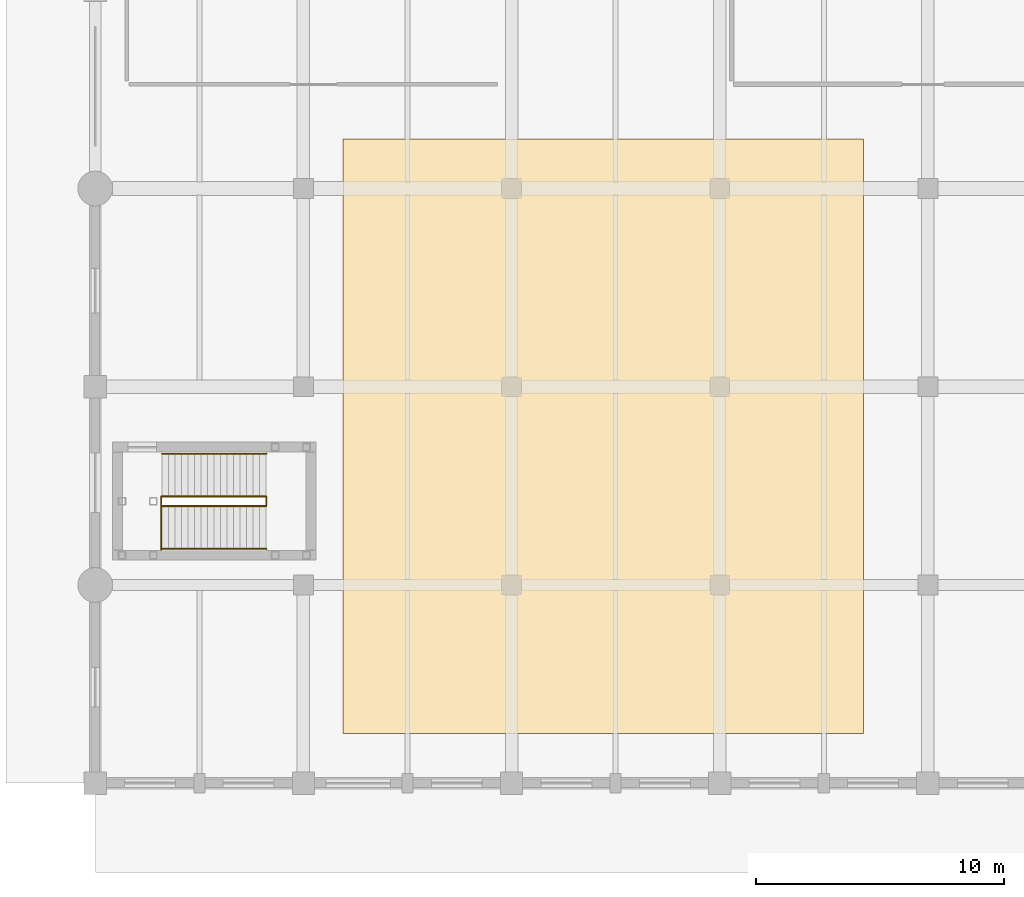
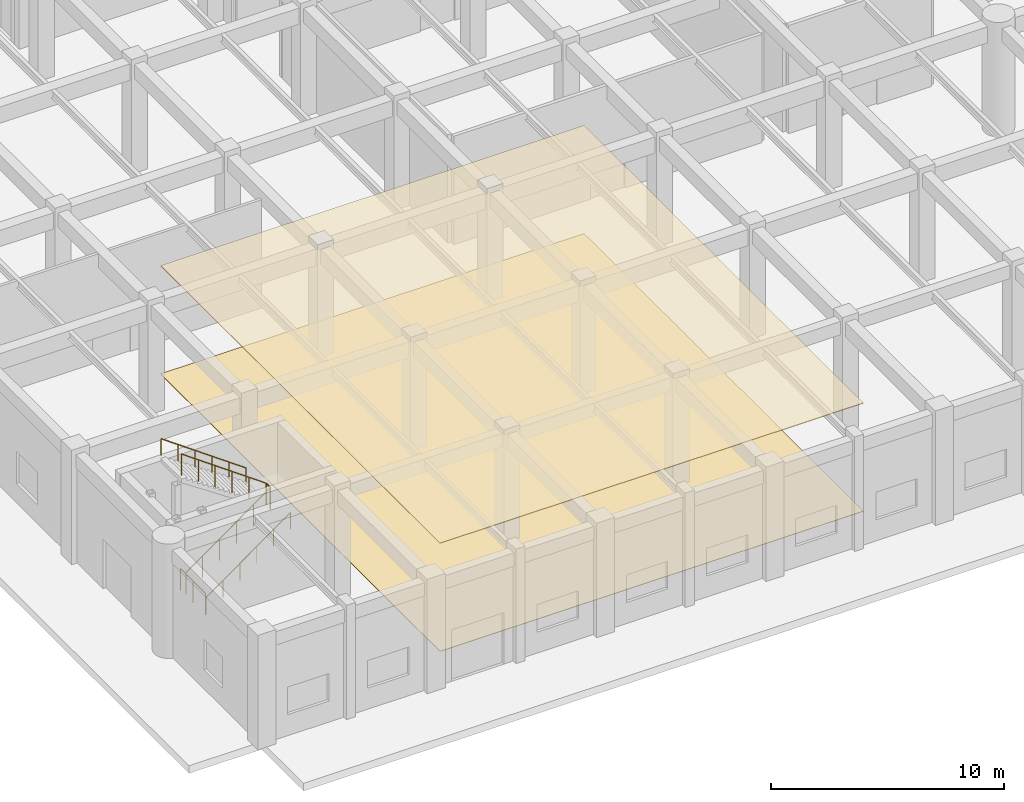
# One storey, part 67 of 76: 6 railings, 2 coverings.
"""IFC4 building model written with IfcOpenShell, lengths in metres."""

from ifc_helpers import new_model, si_unit, direction, frame, origin, origin_2d, place, context, subcontext, project, spatial, polyline, circle, outline, extrude, material, layer, layer_set, type_object, element, save


model = new_model("IFC4")

# Units and contexts
model_context = context("Model", 3, precision=1e-05, world=origin(), true_north=direction((0.0, 1.0)))
body_context = subcontext(model_context, "Body", "Model", "MODEL_VIEW")
ifc_project = project(units=[si_unit("LENGTHUNIT", "METRE"), si_unit("AREAUNIT", "SQUARE_METRE"), si_unit("VOLUMEUNIT", "CUBIC_METRE"), si_unit("PLANEANGLEUNIT", "RADIAN"), si_unit("MASSUNIT", "GRAM", prefix="KILO")], contexts=[model_context])

# Site, building, storey
site_placement = place(None, origin())
site = spatial("IfcSite", under=ifc_project, at=site_placement, CompositionType="ELEMENT")
building_placement = place(site_placement, origin())
building = spatial("IfcBuilding", under=site, at=building_placement, Name="Naruveol Harbour Congress Hotel", CompositionType="ELEMENT")
storey_placement = place(building_placement, origin())
storey = spatial("IfcBuildingStorey", under=building, at=storey_placement, Name="L00", CompositionType="ELEMENT", Elevation=0.0)

# Covering
ifc_material_1 = material(Name="Polished Terrazzo & Engineered Oak", Category="stone")
ifc_layer_1 = layer(ifc_material_1, 0.02490234375)
ifc_layer_set_1 = layer_set([ifc_layer_1], Name="Polished Terrazzo & Engineered Oak")
covering_type_1 = type_object("IfcCoveringType", Name="POLISHED TERRAZZO AND OAK FLOORING 25", PredefinedType="FLOORING", material=ifc_layer_set_1)
covering_1_placement = place(storey_placement, origin())
element("IfcCovering", 1, at=covering_1_placement, inside=storey, type_object=covering_type_1, Name="Congress Concourse Acoustic Flooring", PredefinedType="FLOORING", context=body_context, shape_type="SweptSolid", body=[
    extrude(outline(polyline([(10.0, 2.0), (31.0, 2.0), (31.0, 26.0), (10.0, 26.0), (10.0, 2.0)])), origin(), (0.0, 0.0, 1.0), 0.02490234375),
])

# Railings
ifc_material_2 = material(Name="Stainless Steel 304", Category="steel")
ifc_layer_2 = layer(ifc_material_2, 0.0419921875)
ifc_layer_set_2 = layer_set([ifc_layer_2], Name="Stainless Steel 304")
railing_type_1 = type_object("IfcRailingType", Name="STAIR WALL MOUNTED HANDRAIL 900", PredefinedType="HANDRAIL", material=ifc_layer_set_2)
railing_1_placement = place(storey_placement, frame((2.699951171875, 9.4599609375, 0.0)))
element("IfcRailing", 2, at=railing_1_placement, inside=storey, type_object=railing_type_1, Name="Stair ST5 L00 lower wall handrail", PredefinedType="HANDRAIL", context=body_context, shape_type="SweptSolid", body=[
    extrude(circle(Radius=0.02392578125, at=origin_2d()), frame((0.0, 0.0, 0.8759765625), z_axis=(0.813730275137, 0.0, 0.581242668191), x_axis=(0.0, 1.0, 0.0)), (0.0, 0.0, 1.0), 5.161376953125),
    extrude(circle(Radius=0.02099609375, at=origin_2d()), origin(), (0.0, 0.0, 1.0), 0.851806640625),
    extrude(circle(Radius=0.02099609375, at=origin_2d()), frame((0.840087890625, 0.0, 0.60009765625)), (0.0, 0.0, 1.0), 0.851806640625),
    extrude(circle(Radius=0.02099609375, at=origin_2d()), frame((1.679931640625, 0.0, 1.199951171875)), (0.0, 0.0, 1.0), 0.851806640625),
    extrude(circle(Radius=0.02099609375, at=origin_2d()), frame((2.52001953125, 0.0, 1.800048828125)), (0.0, 0.0, 1.0), 0.851806640625),
    extrude(circle(Radius=0.02099609375, at=origin_2d()), frame((3.35986328125, 0.0, 2.39990234375)), (0.0, 0.0, 1.0), 0.851806640625),
    extrude(circle(Radius=0.02099609375, at=origin_2d()), frame((4.199951171875, 0.0, 3.0)), (0.0, 0.0, 1.0), 0.851806640625),
])
railing_2_placement = place(storey_placement, frame((6.89990234375, 13.300048828125, 3.0)))
element("IfcRailing", 3, at=railing_2_placement, inside=storey, type_object=railing_type_1, Name="Stair ST5 L00 upper wall handrail", PredefinedType="HANDRAIL", context=body_context, shape_type="SweptSolid", body=[
    extrude(circle(Radius=0.02392578125, at=origin_2d()), frame((0.0, 0.0, 0.8759765625), z_axis=(-0.813730275137, 0.0, 0.581242668191), x_axis=(0.0, -1.0, 0.0)), (0.0, 0.0, 1.0), 5.161376953125),
    extrude(circle(Radius=0.02099609375, at=origin_2d()), origin(), (0.0, 0.0, 1.0), 0.851806640625),
    extrude(circle(Radius=0.02099609375, at=origin_2d()), frame((-0.840087890625, 0.0, 0.60009765625)), (0.0, 0.0, 1.0), 0.851806640625),
    extrude(circle(Radius=0.02099609375, at=origin_2d()), frame((-1.679931640625, 0.0, 1.199951171875)), (0.0, 0.0, 1.0), 0.851806640625),
    extrude(circle(Radius=0.02099609375, at=origin_2d()), frame((-2.52001953125, 0.0, 1.800048828125)), (0.0, 0.0, 1.0), 0.851806640625),
    extrude(circle(Radius=0.02099609375, at=origin_2d()), frame((-3.35986328125, 0.0, 2.39990234375)), (0.0, 0.0, 1.0), 0.851806640625),
    extrude(circle(Radius=0.02099609375, at=origin_2d()), frame((-4.199951171875, 0.0, 3.0)), (0.0, 0.0, 1.0), 0.851806640625),
])
ifc_material_3 = material(Name="Steel SN490", Category="steel")
ifc_layer_3 = layer(ifc_material_3, 0.044921875)
ifc_layer_set_3 = layer_set([ifc_layer_3], Name="Steel SN490")
railing_type_2 = type_object("IfcRailingType", Name="STAIRWELL STEEL GUARDRAIL 1150", PredefinedType="GUARDRAIL", material=ifc_layer_set_3)
railing_3_placement = place(storey_placement, frame((2.699951171875, 11.18994140625, 0.0)))
element("IfcRailing", 4, at=railing_3_placement, inside=storey, type_object=railing_type_2, Name="Stair ST5 L00 lower well guard", PredefinedType="GUARDRAIL", context=body_context, shape_type="SweptSolid", body=[
    extrude(circle(Radius=0.02392578125, at=origin_2d()), frame((0.0, 0.0, 1.1259765625), z_axis=(0.813730275137, 0.0, 0.581242668191), x_axis=(0.0, 1.0, 0.0)), (0.0, 0.0, 1.0), 5.161376953125),
    extrude(circle(Radius=0.02099609375, at=origin_2d()), origin(), (0.0, 0.0, 1.0), 1.101806640625),
    extrude(circle(Radius=0.02099609375, at=origin_2d()), frame((0.840087890625, 0.0, 0.60009765625)), (0.0, 0.0, 1.0), 1.101806640625),
    extrude(circle(Radius=0.02099609375, at=origin_2d()), frame((1.679931640625, 0.0, 1.199951171875)), (0.0, 0.0, 1.0), 1.101806640625),
    extrude(circle(Radius=0.02099609375, at=origin_2d()), frame((2.52001953125, 0.0, 1.800048828125)), (0.0, 0.0, 1.0), 1.101806640625),
    extrude(circle(Radius=0.02099609375, at=origin_2d()), frame((3.35986328125, 0.0, 2.39990234375)), (0.0, 0.0, 1.0), 1.101806640625),
    extrude(circle(Radius=0.02099609375, at=origin_2d()), frame((4.199951171875, 0.0, 3.0)), (0.0, 0.0, 1.0), 1.101806640625),
])
railing_4_placement = place(storey_placement, frame((6.89990234375, 11.18994140625, 3.0)))
element("IfcRailing", 5, at=railing_4_placement, inside=storey, type_object=railing_type_2, Name="Stair ST5 L00 half-landing slot guard", PredefinedType="GUARDRAIL", context=body_context, shape_type="SweptSolid", body=[
    extrude(circle(Radius=0.02392578125, at=origin_2d()), frame((0.0, 0.0, 1.1259765625), z_axis=(0.0, 1.0, 0.0), x_axis=(-1.0, 0.0, 0.0)), (0.0, 0.0, 1.0), 0.380126953125),
    extrude(circle(Radius=0.02099609375, at=origin_2d()), origin(), (0.0, 0.0, 1.0), 1.101806640625),
    extrude(circle(Radius=0.02099609375, at=origin_2d()), frame((0.0, 0.380126953125, 0.0)), (0.0, 0.0, 1.0), 1.101806640625),
])
railing_5_placement = place(storey_placement, frame((6.89990234375, 11.570068359375, 3.0)))
element("IfcRailing", 6, at=railing_5_placement, inside=storey, type_object=railing_type_2, Name="Stair ST5 L00 upper well guard", PredefinedType="GUARDRAIL", context=body_context, shape_type="SweptSolid", body=[
    extrude(circle(Radius=0.02392578125, at=origin_2d()), frame((0.0, 0.0, 1.1259765625), z_axis=(-0.813730275137, 0.0, 0.581242668191), x_axis=(0.0, -1.0, 0.0)), (0.0, 0.0, 1.0), 5.161376953125),
    extrude(circle(Radius=0.02099609375, at=origin_2d()), origin(), (0.0, 0.0, 1.0), 1.101806640625),
    extrude(circle(Radius=0.02099609375, at=origin_2d()), frame((-0.840087890625, 0.0, 0.60009765625)), (0.0, 0.0, 1.0), 1.101806640625),
    extrude(circle(Radius=0.02099609375, at=origin_2d()), frame((-1.679931640625, 0.0, 1.199951171875)), (0.0, 0.0, 1.0), 1.101806640625),
    extrude(circle(Radius=0.02099609375, at=origin_2d()), frame((-2.52001953125, 0.0, 1.800048828125)), (0.0, 0.0, 1.0), 1.101806640625),
    extrude(circle(Radius=0.02099609375, at=origin_2d()), frame((-3.35986328125, 0.0, 2.39990234375)), (0.0, 0.0, 1.0), 1.101806640625),
    extrude(circle(Radius=0.02099609375, at=origin_2d()), frame((-4.199951171875, 0.0, 3.0)), (0.0, 0.0, 1.0), 1.101806640625),
])
railing_6_placement = place(storey_placement, frame((2.659912109375, 9.419921875, 0.0)))
element("IfcRailing", 7, at=railing_6_placement, inside=storey, type_object=railing_type_2, Name="Stair ST5 L00 landing well guard", PredefinedType="GUARDRAIL", context=body_context, shape_type="SweptSolid", body=[
    extrude(circle(Radius=0.02392578125, at=origin_2d()), frame((0.0, 0.0, 1.1259765625), z_axis=(0.0, 1.0, 0.0), x_axis=(-1.0, 0.0, 0.0)), (0.0, 0.0, 1.0), 2.150146484375),
    extrude(circle(Radius=0.02099609375, at=origin_2d()), origin(), (0.0, 0.0, 1.0), 1.101806640625),
    extrude(circle(Radius=0.02099609375, at=origin_2d()), frame((0.0, 1.0751953125, 0.0)), (0.0, 0.0, 1.0), 1.101806640625),
    extrude(circle(Radius=0.02099609375, at=origin_2d()), frame((0.0, 2.150146484375, 0.0)), (0.0, 0.0, 1.0), 1.101806640625),
])

# Covering
ifc_material_4 = material(Name="Acoustic Engineered Timber Slats", Category="wood")
ifc_layer_4 = layer(ifc_material_4, 0.034912109375)
ifc_layer_set_4 = layer_set([ifc_layer_4], Name="Acoustic Engineered Timber Slats")
covering_type_2 = type_object("IfcCoveringType", Name="SUSPENDED PERFORATED TIMBER ACOUSTIC CEILING 35", PredefinedType="CEILING", material=ifc_layer_set_4)
covering_2_placement = place(storey_placement, frame((0.0, 0.0, 5.6650390625)))
element("IfcCovering", 8, at=covering_2_placement, inside=storey, type_object=covering_type_2, Name="Congress Concourse Acoustic Ceiling", PredefinedType="CEILING", context=body_context, shape_type="SweptSolid", body=[
    extrude(outline(polyline([(10.0, 2.0), (31.0, 2.0), (31.0, 26.0), (10.0, 26.0), (10.0, 2.0)])), origin(), (0.0, 0.0, 1.0), 0.034912109375),
])

save(model, "model.ifc")
